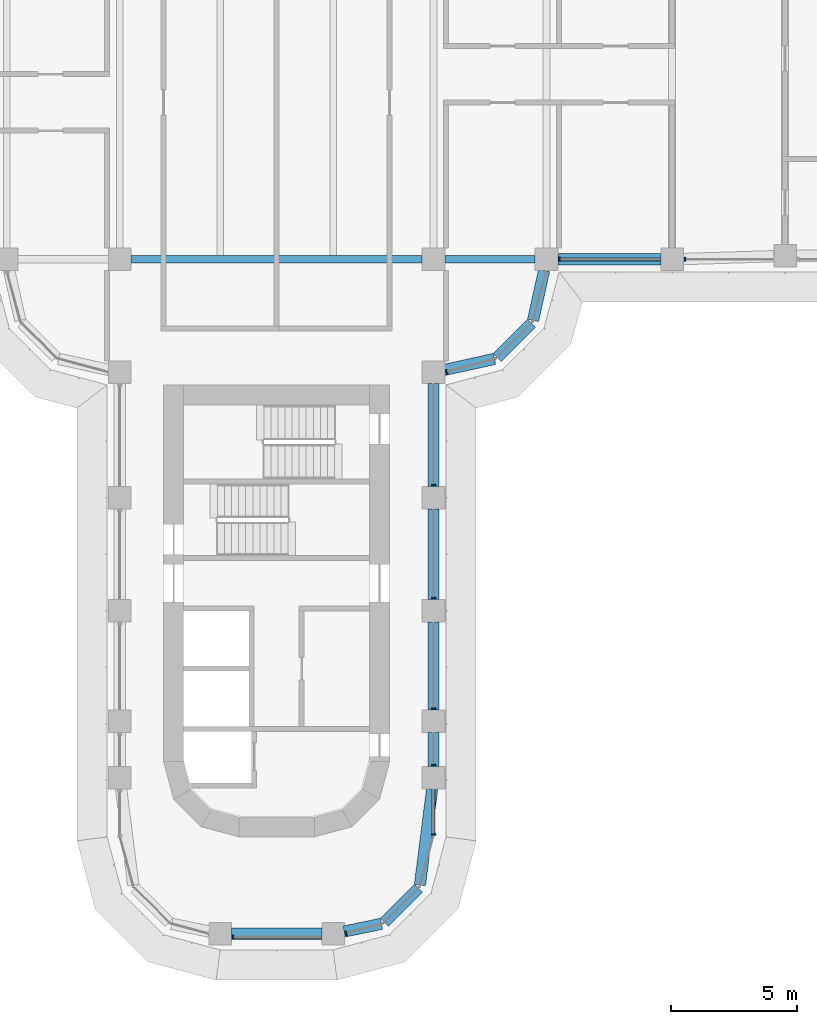
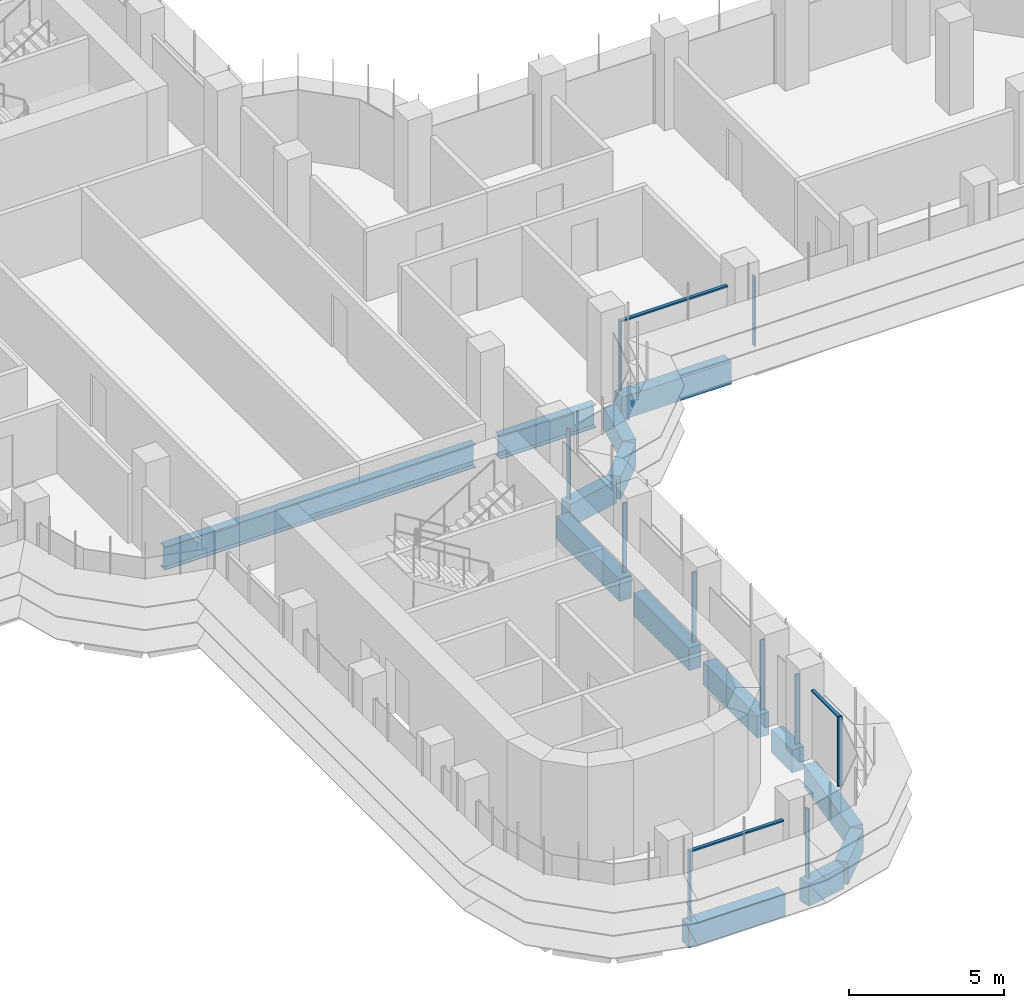
# One storey, part 4 of 23: 14 beams, 13 members, 5 elements without a shape of their own.
"""IFC4 building model written with IfcOpenShell, lengths in metres."""

from ifc_helpers import new_model, si_unit, direction, frame, origin, origin_2d, place, context, subcontext, project, spatial, polyline, rectangle, i_section, outline, extrude, source, transform, mapped, material, material_profile, profile_set, type_object, element, aggregate, save


model = new_model("IFC4")

# Units and contexts
model_context = context("Model", 3, precision=1e-05, world=origin(), true_north=direction((0.0, 1.0)))
body_context = subcontext(model_context, "Body", "Model", "MODEL_VIEW")
ifc_project = project(units=[si_unit("LENGTHUNIT", "METRE"), si_unit("AREAUNIT", "SQUARE_METRE"), si_unit("VOLUMEUNIT", "CUBIC_METRE"), si_unit("PLANEANGLEUNIT", "RADIAN"), si_unit("MASSUNIT", "GRAM", prefix="KILO")], contexts=[model_context])

# Site, building, storey
site_placement = place(None, origin())
site = spatial("IfcSite", under=ifc_project, at=site_placement, CompositionType="ELEMENT")
building_placement = place(site_placement, origin())
building = spatial("IfcBuilding", under=site, at=building_placement, Name="Zarbagh Exchange Tower", CompositionType="ELEMENT")
storey_placement = place(building_placement, frame((0.0, 0.0, 86.60009765625)))
storey = spatial("IfcBuildingStorey", under=building, at=storey_placement, Name="L19", CompositionType="ELEMENT", Elevation=86.60009765625)

# Beams
ifc_material_1 = material(Name="Steel ASTM A992 Gr 50", Category="steel")
ifc_material_profile_1 = material_profile(ifc_material_1, i_section(OverallWidth=0.3046875, OverallDepth=0.911865234375, WebThickness=0.015869140625, FlangeThickness=0.02392578125, at=origin_2d()), Name="W36X150")
ifc_profile_set_1 = profile_set([ifc_material_profile_1], Name="Steel ASTM A992 Gr 50")
beam_type_1 = type_object("IfcBeamType", Name="Floor girder W36X150", PredefinedType="BEAM", material=ifc_profile_set_1)
beam_1_placement = place(storey_placement, frame((-5.800048828125, -6.25, -0.60595703125), z_axis=(1.0, 0.0, 0.0), x_axis=(0.0, 1.0, 0.0)))
element("IfcBeam", 1, at=beam_1_placement, inside=storey, type_object=beam_type_1, Name="Steel girder", PredefinedType="BEAM", context=body_context, shape_type="SweptSolid", body=[
    extrude(i_section(OverallWidth=0.3046875, OverallDepth=0.911865234375, WebThickness=0.015869140625, FlangeThickness=0.02392578125, at=origin_2d()), origin(), (0.0, 0.0, 1.0), 11.60009765625),
])
beam_2_placement = place(storey_placement, frame((6.699951171875, -6.25, -0.60595703125), z_axis=(1.0, 0.0, 0.0), x_axis=(0.0, 1.0, 0.0)))
element("IfcBeam", 2, at=beam_2_placement, inside=storey, type_object=beam_type_1, Name="Steel girder", PredefinedType="BEAM", context=body_context, shape_type="SweptSolid", body=[
    extrude(i_section(OverallWidth=0.3046875, OverallDepth=0.911865234375, WebThickness=0.015869140625, FlangeThickness=0.02392578125, at=origin_2d()), origin(), (0.0, 0.0, 1.0), 3.60009765625),
])
ifc_material_2 = material(Name="Concrete C60/75", Category="concrete")
ifc_material_profile_2 = material_profile(ifc_material_2, rectangle(XDim=0.449951171875, YDim=0.89990234375, at=origin_2d()), Name="RC spandrel beam 450 x 900 C60/75")
ifc_profile_set_2 = profile_set([ifc_material_profile_2], Name="Concrete C60/75")
beam_type_2 = type_object("IfcBeamType", Name="RC spandrel beam 450 x 900 C60/75", PredefinedType="SPANDREL", material=ifc_profile_set_2)
beam_3_placement = place(storey_placement, frame((15.300048828125, -6.25, -0.60009765625), z_axis=(-1.0, 0.0, 0.0), x_axis=(0.0, -1.0, 0.0)))
element("IfcBeam", 3, at=beam_3_placement, inside=storey, type_object=beam_type_2, Name="RC spandrel beam", PredefinedType="SPANDREL", context=body_context, shape_type="SweptSolid", body=[
    extrude(rectangle(XDim=0.449951171875, YDim=0.89990234375, at=origin_2d()), origin(), (0.0, 0.0, 1.0), 4.10009765625),
])
beam_4_placement = place(storey_placement, frame((10.65283203125, -6.689453125, -0.60009765625), z_axis=(-0.216117666208, -0.976367325525, 0.0), x_axis=(0.976367325525, -0.216117666208, 0.0)))
element("IfcBeam", 4, at=beam_4_placement, inside=storey, type_object=beam_type_2, Name="RC spandrel beam", PredefinedType="SPANDREL", context=body_context, shape_type="SweptSolid", body=[
    extrude(rectangle(XDim=0.449951171875, YDim=0.89990234375, at=origin_2d()), origin(), (0.0, 0.0, 1.0), 2.03564453125),
])
beam_5_placement = place(storey_placement, frame((10.15234375, -8.78759765625, -0.60009765625), z_axis=(-0.707106781187, -0.707106781187, 0.0), x_axis=(0.707106781187, -0.707106781187, 0.0)))
element("IfcBeam", 5, at=beam_5_placement, inside=storey, type_object=beam_type_2, Name="RC spandrel beam", PredefinedType="SPANDREL", context=body_context, shape_type="SweptSolid", body=[
    extrude(rectangle(XDim=0.449951171875, YDim=0.89990234375, at=origin_2d()), origin(), (0.0, 0.0, 1.0), 1.929931640625),
])
beam_6_placement = place(storey_placement, frame((8.677001953125, -10.212890625, -0.60009765625), z_axis=(-0.976367325525, -0.216117666208, 0.0), x_axis=(0.216117666208, -0.976367325525, 0.0)))
element("IfcBeam", 6, at=beam_6_placement, inside=storey, type_object=beam_type_2, Name="RC spandrel beam", PredefinedType="SPANDREL", context=body_context, shape_type="SweptSolid", body=[
    extrude(rectangle(XDim=0.449951171875, YDim=0.89990234375, at=origin_2d()), origin(), (0.0, 0.0, 1.0), 2.03564453125),
])
beam_7_placement = place(storey_placement, frame((6.25, -11.199951171875, -0.60009765625), z_axis=(0.0, -1.0, 0.0), x_axis=(1.0, 0.0, 0.0)))
element("IfcBeam", 7, at=beam_7_placement, inside=storey, type_object=beam_type_2, Name="RC spandrel beam", PredefinedType="SPANDREL", context=body_context, shape_type="SweptSolid", body=[
    extrude(rectangle(XDim=0.449951171875, YDim=0.89990234375, at=origin_2d()), origin(), (0.0, 0.0, 1.0), 4.10009765625),
])
beam_8_placement = place(storey_placement, frame((6.25, -16.199951171875, -0.60009765625), z_axis=(0.0, -1.0, 0.0), x_axis=(1.0, 0.0, 0.0)))
element("IfcBeam", 8, at=beam_8_placement, inside=storey, type_object=beam_type_2, Name="RC spandrel beam", PredefinedType="SPANDREL", context=body_context, shape_type="SweptSolid", body=[
    extrude(rectangle(XDim=0.449951171875, YDim=0.89990234375, at=origin_2d()), origin(), (0.0, 0.0, 1.0), 3.60009765625),
])
beam_9_placement = place(storey_placement, frame((6.25, -20.699951171875, -0.60009765625), z_axis=(0.0, -1.0, 0.0), x_axis=(1.0, 0.0, 0.0)))
element("IfcBeam", 9, at=beam_9_placement, inside=storey, type_object=beam_type_2, Name="RC spandrel beam", PredefinedType="SPANDREL", context=body_context, shape_type="SweptSolid", body=[
    extrude(rectangle(XDim=0.449951171875, YDim=0.89990234375, at=origin_2d()), origin(), (0.0, 0.0, 1.0), 3.5),
])
beam_10_placement = place(storey_placement, frame((6.25, -25.10009765625, -0.60009765625), z_axis=(0.0, -1.0, 0.0), x_axis=(1.0, 0.0, 0.0)))
element("IfcBeam", 10, at=beam_10_placement, inside=storey, type_object=beam_type_2, Name="RC spandrel beam", PredefinedType="SPANDREL", context=body_context, shape_type="SweptSolid", body=[
    extrude(rectangle(XDim=0.449951171875, YDim=0.89990234375, at=origin_2d()), origin(), (0.0, 0.0, 1.0), 1.349853515625),
])
beam_11_placement = place(storey_placement, frame((6.193359375, -27.346435546875, -0.60009765625), z_axis=(-0.12597055537, -0.992033980859, 0.0), x_axis=(0.992033980859, -0.12597055537, 0.0)))
element("IfcBeam", 11, at=beam_11_placement, inside=storey, type_object=beam_type_2, Name="RC spandrel beam", PredefinedType="SPANDREL", context=body_context, shape_type="SweptSolid", body=[
    extrude(rectangle(XDim=0.449951171875, YDim=0.89990234375, at=origin_2d()), origin(), (0.0, 0.0, 1.0), 3.84912109375),
])
beam_12_placement = place(storey_placement, frame((5.644287109375, -31.295654296875, -0.60009765625), z_axis=(-0.707106781187, -0.707106781187, 0.0), x_axis=(0.707106781187, -0.707106781187, 0.0)))
element("IfcBeam", 12, at=beam_12_placement, inside=storey, type_object=beam_type_2, Name="RC spandrel beam", PredefinedType="SPANDREL", context=body_context, shape_type="SweptSolid", body=[
    extrude(rectangle(XDim=0.449951171875, YDim=0.89990234375, at=origin_2d()), origin(), (0.0, 0.0, 1.0), 1.9169921875),
])
beam_13_placement = place(storey_placement, frame((4.17529296875, -32.71240234375, -0.60009765625), z_axis=(-0.979328675816, -0.202275417995, 0.0), x_axis=(0.202275417995, -0.979328675816, 0.0)))
element("IfcBeam", 13, at=beam_13_placement, inside=storey, type_object=beam_type_2, Name="RC spandrel beam", PredefinedType="SPANDREL", context=body_context, shape_type="SweptSolid", body=[
    extrude(rectangle(XDim=0.449951171875, YDim=0.89990234375, at=origin_2d()), origin(), (0.0, 0.0, 1.0), 1.515869140625),
])
beam_14_placement = place(storey_placement, frame((1.800048828125, -33.110107421875, -0.60009765625), z_axis=(-1.0, 0.0, 0.0), x_axis=(0.0, -1.0, 0.0)))
element("IfcBeam", 14, at=beam_14_placement, inside=storey, type_object=beam_type_2, Name="RC spandrel beam", PredefinedType="SPANDREL", context=body_context, shape_type="SweptSolid", body=[
    extrude(rectangle(XDim=0.449951171875, YDim=0.89990234375, at=origin_2d()), origin(), (0.0, 0.0, 1.0), 3.60009765625),
])

# Curtain wall, member
ifc_material_3 = material(Name="Anodised aluminium frame and glazing", Category="aluminium")
curtain_wall_type = type_object("IfcCurtainWallType", Name="CWA Ribbon glazing, lower zones", PredefinedType="NOTDEFINED", material=ifc_material_3)
curtain_wall_1_placement = place(storey_placement, origin())
curtain_wall_1 = element("IfcCurtainWall", 15, at=curtain_wall_1_placement, inside=storey, type_object=curtain_wall_type, Name="CWA01 curtain wall", PredefinedType="NOTDEFINED")
ifc_material_4 = material(Name="Anodised aluminium frame", Category="aluminium")
member_type_1 = type_object("IfcMemberType", Name="MUA Mullion, anodised aluminium frame", PredefinedType="MULLION", material=ifc_material_4)
shared_shape_1 = source(origin(), body_context, "Body", "SweptSolid", [
    extrude(outline(polyline([(0.0, -0.080078125), (0.06005859375, -0.080078125), (0.06005859375, 0.080078125), (0.0, 0.080078125), (0.0, -0.080078125)])), origin(), (0.0, 0.0, 1.0), 2.75),
])
placement = place(storey_placement, origin())
member_1 = element("IfcMember", 16, at=placement, type_object=member_type_1, Name="CWA01 mullion 1.1", PredefinedType="MULLION", context=body_context, shape_type="MappedRepresentation", body=[
    mapped(shared_shape_1, transform((2.739990234375, -33.10107421875, 0.0), x_axis=(0.965924289636, 0.258824779902, 0.0), y_axis=(-0.258824779902, 0.965924289636, 0.0), z_axis=(0.0, 0.0, 1.0))),
])
aggregate(curtain_wall_1, [member_1])

# Curtain wall, members
curtain_wall_2_placement = place(storey_placement, origin())
curtain_wall_2 = element("IfcCurtainWall", 17, at=curtain_wall_2_placement, inside=storey, type_object=curtain_wall_type, Name="CWA04 curtain wall", PredefinedType="NOTDEFINED")
member_2 = element("IfcMember", 18, at=placement, type_object=member_type_1, Name="CWA04 mullion 1.1", PredefinedType="MULLION", context=body_context, shape_type="MappedRepresentation", body=[
    mapped(shared_shape_1, transform((6.25, -29.18408203125, 0.0), x_axis=(0.0, 1.0, 0.0), y_axis=(-1.0, 0.0, 0.0), z_axis=(0.0, 0.0, 1.0))),
])
member_3 = element("IfcMember", 19, at=placement, type_object=member_type_1, Name="CWA04 mullion 2.1", PredefinedType="MULLION", context=body_context, shape_type="MappedRepresentation", body=[
    mapped(shared_shape_1, transform((6.25, -26.409912109375, 0.0), x_axis=(0.0, 1.0, 0.0), y_axis=(-1.0, 0.0, 0.0), z_axis=(0.0, 0.0, 1.0))),
])
member_4 = element("IfcMember", 20, at=placement, type_object=member_type_1, Name="CWA04 mullion 3.1", PredefinedType="MULLION", context=body_context, shape_type="MappedRepresentation", body=[
    mapped(shared_shape_1, transform((6.25, -24.159912109375, 0.0), x_axis=(0.0, 1.0, 0.0), y_axis=(-1.0, 0.0, 0.0), z_axis=(0.0, 0.0, 1.0))),
])
member_5 = element("IfcMember", 21, at=placement, type_object=member_type_1, Name="CWA04 mullion 4.1", PredefinedType="MULLION", context=body_context, shape_type="MappedRepresentation", body=[
    mapped(shared_shape_1, transform((6.25, -19.760009765625, 0.0), x_axis=(0.0, 1.0, 0.0), y_axis=(-1.0, 0.0, 0.0), z_axis=(0.0, 0.0, 1.0))),
])
member_6 = element("IfcMember", 22, at=placement, type_object=member_type_1, Name="CWA04 mullion 5.1", PredefinedType="MULLION", context=body_context, shape_type="MappedRepresentation", body=[
    mapped(shared_shape_1, transform((6.25, -15.260009765625, 0.0), x_axis=(0.0, 1.0, 0.0), y_axis=(-1.0, 0.0, 0.0), z_axis=(0.0, 0.0, 1.0))),
])

# Curtain wall, member
curtain_wall_3_placement = place(storey_placement, origin())
curtain_wall_3 = element("IfcCurtainWall", 23, at=curtain_wall_3_placement, inside=storey, type_object=curtain_wall_type, Name="CWA05 curtain wall", PredefinedType="NOTDEFINED")
member_7 = element("IfcMember", 24, at=placement, type_object=member_type_1, Name="CWA05 mullion 1.1", PredefinedType="MULLION", context=body_context, shape_type="MappedRepresentation", body=[
    mapped(shared_shape_1, transform((6.739990234375, -10.735107421875, 0.0), x_axis=(0.965924289636, 0.258824779902, 0.0), y_axis=(-0.258824779902, 0.965924289636, 0.0), z_axis=(0.0, 0.0, 1.0))),
])
aggregate(curtain_wall_3, [member_7])

# Curtain wall, members
curtain_wall_4_placement = place(storey_placement, origin())
curtain_wall_4 = element("IfcCurtainWall", 25, at=curtain_wall_4_placement, inside=storey, type_object=curtain_wall_type, Name="CWA08 curtain wall", PredefinedType="NOTDEFINED")
member_8 = element("IfcMember", 26, at=placement, type_object=member_type_1, Name="CWA08 mullion 1.1", PredefinedType="MULLION", context=body_context, shape_type="MappedRepresentation", body=[
    mapped(shared_shape_1, transform((11.239990234375, -6.25, 0.0), x_axis=(1.0, 0.0, 0.0), y_axis=(0.0, 1.0, 0.0), z_axis=(0.0, 0.0, 1.0))),
])
member_9 = element("IfcMember", 27, at=placement, type_object=member_type_1, Name="CWA08 mullion 2.1", PredefinedType="MULLION", context=body_context, shape_type="MappedRepresentation", body=[
    mapped(shared_shape_1, transform((16.239990234375, -6.25, 0.0), x_axis=(1.0, 0.0, 0.0), y_axis=(0.0, 1.0, 0.0), z_axis=(0.0, 0.0, 1.0))),
])

# Curtain wall, member
curtain_wall_5_placement = place(storey_placement, origin())
curtain_wall_5 = element("IfcCurtainWall", 28, at=curtain_wall_5_placement, inside=storey, type_object=curtain_wall_type, Name="CWA48 curtain wall", PredefinedType="NOTDEFINED")
member_10 = element("IfcMember", 29, at=placement, type_object=member_type_1, Name="CWA48 mullion 1.1", PredefinedType="MULLION", context=body_context, shape_type="MappedRepresentation", body=[
    mapped(shared_shape_1, transform((-1.760009765625, -33.25, 0.0), x_axis=(1.0, 0.0, 0.0), y_axis=(0.0, 1.0, 0.0), z_axis=(0.0, 0.0, 1.0))),
])

# Member
member_type_2 = type_object("IfcMemberType", Name="TRA Transom, anodised aluminium frame", PredefinedType="USERDEFINED", material=ifc_material_4)
shared_shape_2 = source(origin(), body_context, "Body", "SweptSolid", [
    extrude(outline(polyline([(-0.06005859375, -0.06005859375), (0.0, -0.06005859375), (0.0, 0.06005859375), (-0.06005859375, 0.06005859375), (-0.06005859375, -0.06005859375)])), origin(), (0.0, 0.0, 1.0), 1.734130859375),
])
member_11 = element("IfcMember", 30, at=placement, type_object=member_type_2, Name="CWA04 transom 1.1", ObjectType="TRANSOM", PredefinedType="USERDEFINED", context=body_context, shape_type="MappedRepresentation", body=[
    mapped(shared_shape_2, transform((6.25, -29.124267578125, 2.75), x_axis=(0.0, 0.0, 1.0), y_axis=(1.0, 0.0, 0.0), z_axis=(0.0, 1.0, 0.0))),
])

aggregate(curtain_wall_2, [member_2, member_11, member_3, member_4, member_5, member_6])

shared_shape_3 = source(origin(), body_context, "Body", "SweptSolid", [
    extrude(outline(polyline([(-0.06005859375, -0.06005859375), (0.0, -0.06005859375), (0.0, 0.06005859375), (-0.06005859375, 0.06005859375), (-0.06005859375, -0.06005859375)])), origin(), (0.0, 0.0, 1.0), 3.9599609375),
])
member_12 = element("IfcMember", 31, at=placement, type_object=member_type_2, Name="CWA08 transom 1.1", ObjectType="TRANSOM", PredefinedType="USERDEFINED", context=body_context, shape_type="MappedRepresentation", body=[
    mapped(shared_shape_3, transform((11.300048828125, -6.25, 2.75), x_axis=(0.0, 0.0, 1.0), y_axis=(0.0, -1.0, 0.0), z_axis=(1.0, 0.0, 0.0))),
])

aggregate(curtain_wall_4, [member_8, member_12, member_9])

shared_shape_4 = source(origin(), body_context, "Body", "SweptSolid", [
    extrude(outline(polyline([(-0.06005859375, -0.06005859375), (0.0, -0.06005859375), (0.0, 0.06005859375), (-0.06005859375, 0.06005859375), (-0.06005859375, -0.06005859375)])), origin(), (0.0, 0.0, 1.0), 3.4599609375),
])
member_13 = element("IfcMember", 32, at=placement, type_object=member_type_2, Name="CWA48 transom 1.1", ObjectType="TRANSOM", PredefinedType="USERDEFINED", context=body_context, shape_type="MappedRepresentation", body=[
    mapped(shared_shape_4, transform((-1.699951171875, -33.25, 2.75), x_axis=(0.0, 0.0, 1.0), y_axis=(0.0, -1.0, 0.0), z_axis=(1.0, 0.0, 0.0))),
])

aggregate(curtain_wall_5, [member_10, member_13])

save(model, "model.ifc")
